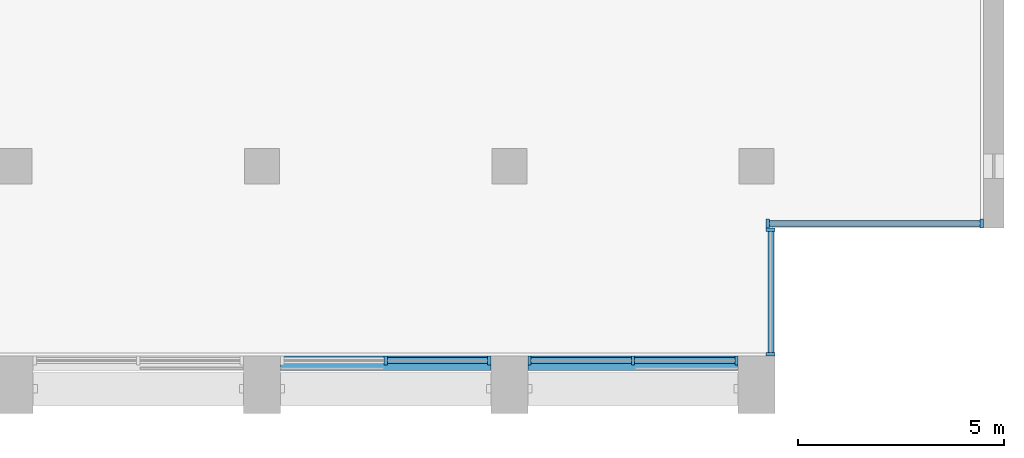
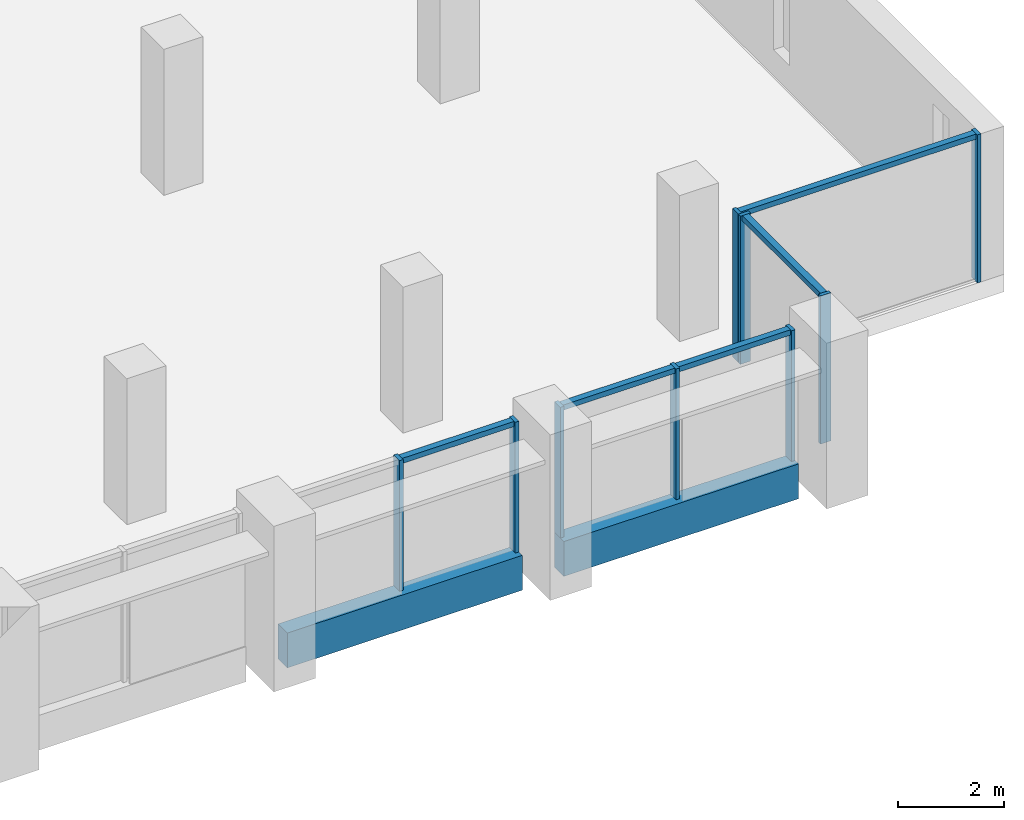
# One storey, part 3 of 14: 14 members, 2 beams, 4 elements without a shape of their own.
"""IFC4 building model written with IfcOpenShell, lengths in metres."""

import ifcopenshell
import ifcopenshell.guid

model = None  # the IFC model being written
_history = None  # IfcOwnerHistory: only IFC2X3 demands one
_inside = {}  # id of a spatial element -> (the spatial element, [elements in it])
_under = {}  # id of a project, library or spatial element -> (it, [spatial elements below it])
_declared = {}  # id of a project -> (the project, [libraries it declares])
_typed = {}  # id of a type object -> (the type object, [elements of that type])
_made_of = {}  # id of a material, layer set ... -> (it, [elements and type objects made of it])


def new_model(schema):
    """Start an empty IFC model of exactly this schema.

    Asked for "IFC4X3", IfcOpenShell would pick the latest addendum, in which some entities
    have other attributes; the version numbers below select the first issue.
    IFC2X3 requires an IfcOwnerHistory on every rooted entity: one is made here for all.
    """
    global model, _history
    if schema == "IFC4X3":
        model = ifcopenshell.file(schema_version=(4, 3, 0, 0))
    else:
        model = ifcopenshell.file(schema=schema)
    _inside.clear()
    _under.clear()
    _declared.clear()
    _typed.clear()
    _made_of.clear()
    _history = None
    if model.schema == "IFC2X3":
        org = make("IfcOrganization", Name="unknown")
        user = make(
            "IfcPersonAndOrganization",
            ThePerson=make("IfcPerson", FamilyName="unknown"),
            TheOrganization=org,
        )
        app = make(
            "IfcApplication",
            ApplicationDeveloper=org,
            Version="unknown",
            ApplicationFullName="unknown",
            ApplicationIdentifier="unknown",
        )
        _history = make(
            "IfcOwnerHistory",
            OwningUser=user,
            OwningApplication=app,
            ChangeAction="ADDED",
            CreationDate=0,
        )
    return model


def make(cls, **values):
    """One entity of the class cls with the attributes given. An attribute that is None is left unset."""
    return model.create_entity(
        cls, **{name: value for name, value in values.items() if value is not None}
    )


def rooted(cls, **values):
    """An entity with a GlobalId (a new one), such as an element, a storey or a relation."""
    return make(cls, GlobalId=ifcopenshell.guid.new(), OwnerHistory=_history, **values)


def si_unit(unit_type, name, prefix=None):
    """IfcSIUnit, for example si_unit("LENGTHUNIT", "METRE", prefix="MILLI")."""
    return make("IfcSIUnit", UnitType=unit_type, Prefix=prefix, Name=name)


def assignment(units):
    """IfcUnitAssignment: the units of a project."""
    return None if units is None else make("IfcUnitAssignment", Units=units)


def point(xyz):
    """IfcCartesianPoint."""
    return None if xyz is None else make("IfcCartesianPoint", Coordinates=xyz)


def direction(xyz):
    """IfcDirection."""
    return None if xyz is None else make("IfcDirection", DirectionRatios=xyz)


def frame(location, z_axis=None, x_axis=None):
    """IfcAxis2Placement3D, a coordinate frame: its origin and axes. An axis left out is left unset."""
    return make(
        "IfcAxis2Placement3D",
        Location=point(location),
        Axis=direction(z_axis),
        RefDirection=direction(x_axis),
    )


def frame_2d(location, x_axis=None):
    """IfcAxis2Placement2D, a coordinate frame in the plane: its origin and x axis."""
    return make(
        "IfcAxis2Placement2D", Location=point(location), RefDirection=direction(x_axis)
    )


def origin():
    """The frame at (0, 0, 0) with its axes left unset."""
    return frame((0.0, 0.0, 0.0))


def origin_2d():
    """The frame at (0, 0) in the plane with its x axis left unset."""
    return frame_2d((0.0, 0.0))


def place(relative_to, where):
    """IfcLocalPlacement: puts the frame where relative to a parent placement (None: the world)."""
    return make(
        "IfcLocalPlacement", PlacementRelTo=relative_to, RelativePlacement=where
    )


def context(
    kind, dimensions, precision=None, world=None, true_north=None, identifier=None
):
    """IfcGeometricRepresentationContext, for example the 3D "Model" context."""
    return make(
        "IfcGeometricRepresentationContext",
        ContextIdentifier=identifier,
        ContextType=kind,
        CoordinateSpaceDimension=dimensions,
        Precision=precision,
        WorldCoordinateSystem=world,
        TrueNorth=true_north,
    )


def subcontext(parent, identifier, kind, view, scale=None):
    """IfcGeometricRepresentationSubContext, for example "Body" below "Model"."""
    return make(
        "IfcGeometricRepresentationSubContext",
        ContextIdentifier=identifier,
        ContextType=kind,
        ParentContext=parent,
        TargetScale=scale,
        TargetView=view,
    )


def project(units=None, contexts=None):
    """IfcProject with its units and contexts."""
    return rooted(
        "IfcProject",
        Name="project",
        RepresentationContexts=contexts,
        UnitsInContext=assignment(units),
    )


def spatial(cls, under=None, at=None, **own):
    """A site, building, storey or space (cls), placed at a placement, below another one or the project."""
    s = rooted(cls, ObjectPlacement=at, **own)
    if under is not None:
        _under.setdefault(under.id(), (under, []))[1].append(s)
    return s


def profile(cls, at=None, kind="AREA", **sizes):
    """A parametric profile (cls). Its sizes go by their IFC names, for example OverallWidth=200.0."""
    return make(cls, ProfileType=kind, Position=at, **sizes)


def rectangle(**sizes):
    """IfcRectangleProfileDef."""
    return profile("IfcRectangleProfileDef", **sizes)


def extrude(swept, where, along, depth):
    """IfcExtrudedAreaSolid: the profile swept, set in the frame where, extruded along a direction by depth."""
    return make(
        "IfcExtrudedAreaSolid",
        SweptArea=swept,
        Position=where,
        ExtrudedDirection=direction(along),
        Depth=depth,
    )


def shape(context_of_items, identifier, shape_type, items):
    """IfcShapeRepresentation: the items that make up one representation, for example the "Body"."""
    return make(
        "IfcShapeRepresentation",
        ContextOfItems=context_of_items,
        RepresentationIdentifier=identifier,
        RepresentationType=shape_type,
        Items=items,
    )


def material(Name=None, Category=None):
    """IfcMaterial."""
    return make("IfcMaterial", Name=Name, Category=Category)


def material_profile(
    of_material, cross_section, Name=None, Category=None, Priority=None
):
    """IfcMaterialProfile: a cross section and its material."""
    return make(
        "IfcMaterialProfile",
        Name=Name,
        Material=of_material,
        Profile=cross_section,
        Priority=Priority,
        Category=Category,
    )


def profile_set(profiles, Name=None, composite=None):
    """IfcMaterialProfileSet."""
    return make(
        "IfcMaterialProfileSet",
        Name=Name,
        MaterialProfiles=profiles,
        CompositeProfile=composite,
    )


def made_of(thing, what):
    """Note that an element or type object is made of a material, layer set ...; save() writes the relation."""
    if what is not None:
        _made_of.setdefault(what.id(), (what, []))[1].append(thing)
    return thing


def type_object(cls, material=None, **own):
    """A type object (cls), such as IfcWallType, which elements share."""
    return made_of(rooted(cls, **own), material)


def element(
    cls,
    number,
    at=None,
    inside=None,
    cuts=None,
    type_object=None,
    material=None,
    context=None,
    identifier="Body",
    shape_type=None,
    held_by="IfcProductDefinitionShape",
    body=None,
    shapes=None,
    **own,
):
    """One element of the class cls, such as IfcWall. Its Tag is "e" and its number.

    at: its placement. inside: the storey or other place that contains it. cuts: it is an
    opening in that element (IfcRelVoidsElement). A single representation is given by context,
    identifier, shape_type and body (its items); several are given by shapes. held_by: the class
    of the entity that holds the representations. save() writes the other relations.
    """
    e = rooted(cls, Tag="e%d" % number, ObjectPlacement=at, **own)
    if body is not None:
        shapes = [shape(context, identifier, shape_type, body)]
    if shapes is not None:
        e.Representation = make(held_by, Representations=shapes)
    if inside is not None:
        _inside.setdefault(inside.id(), (inside, []))[1].append(e)
    if cuts is not None:
        rooted(
            "IfcRelVoidsElement", RelatingBuildingElement=cuts, RelatedOpeningElement=e
        )
    if type_object is not None:
        _typed.setdefault(type_object.id(), (type_object, []))[1].append(e)
    return made_of(e, material)


def aggregate(whole, parts):
    """IfcRelAggregates: a whole, such as a stair, and the parts it consists of."""
    return rooted("IfcRelAggregates", RelatingObject=whole, RelatedObjects=parts)


def save(model, path):
    """Write the relations noted so far, then the file.

    IfcRelAggregates (storeys below a building ...), IfcRelContainedInSpatialStructure (elements
    in a storey), IfcRelDefinesByType, IfcRelAssociatesMaterial and IfcRelDeclares: one each for
    every whole, place, type object, material and project.
    """
    for whole, parts in _under.values():
        aggregate(whole, parts)
    for where, things in _inside.values():
        rooted(
            "IfcRelContainedInSpatialStructure",
            RelatedElements=things,
            RelatingStructure=where,
        )
    for kind, things in _typed.values():
        rooted("IfcRelDefinesByType", RelatedObjects=things, RelatingType=kind)
    for what, things in _made_of.values():
        rooted("IfcRelAssociatesMaterial", RelatedObjects=things, RelatingMaterial=what)
    for by, libraries in _declared.values():
        rooted("IfcRelDeclares", RelatingContext=by, RelatedDefinitions=libraries)
    model.write(path)


model = new_model("IFC4")

# Units and contexts
model_context = context("Model", 3, precision=1e-05, world=origin(), true_north=direction((0.0, 1.0)))
body_context = subcontext(model_context, "Body", "Model", "MODEL_VIEW")
ifc_project = project(units=[si_unit("LENGTHUNIT", "METRE"), si_unit("AREAUNIT", "SQUARE_METRE"), si_unit("VOLUMEUNIT", "CUBIC_METRE"), si_unit("PLANEANGLEUNIT", "RADIAN"), si_unit("MASSUNIT", "GRAM", prefix="KILO")], contexts=[model_context])

# Site, building, storey
site_placement = place(None, origin())
site = spatial("IfcSite", under=ifc_project, at=site_placement, CompositionType="ELEMENT")
building_placement = place(site_placement, origin())
building = spatial("IfcBuilding", under=site, at=building_placement, Name="Calvaro Tower", CompositionType="ELEMENT")
storey_placement = place(building_placement, frame((0.0, 0.0, 250.75)))
storey = spatial("IfcBuildingStorey", under=building, at=storey_placement, Name="L63", CompositionType="ELEMENT", Elevation=250.75)

# Curtain wall, members
ifc_material_1 = material(Name="Anodised aluminium", Category="aluminium")
curtain_wall_type = type_object("IfcCurtainWallType", Name="Executive curtain wall", PredefinedType="NOTDEFINED", material=ifc_material_1)
curtain_wall_1_placement = place(storey_placement, origin())
curtain_wall_1 = element("IfcCurtainWall", 1, at=curtain_wall_1_placement, inside=storey, type_object=curtain_wall_type, Name="CW4 south curtain wall", PredefinedType="NOTDEFINED")
ifc_material_2 = material(Name="Anodised aluminium", Category="aluminium")
ifc_material_profile_1 = material_profile(ifc_material_2, rectangle(XDim=0.219970703125, YDim=0.080078125, at=origin_2d()), Name="Mullion S4 80 x 220")
ifc_profile_set_1 = profile_set([ifc_material_profile_1], Name="Anodised aluminium")
member_type_1 = type_object("IfcMemberType", Name="Mullion S4 80 x 220", PredefinedType="MULLION", material=ifc_profile_set_1)
member_1_placement = place(storey_placement, frame((51.0, 5.2900390625, 0.0), z_axis=(0.0, 0.0, 1.0), x_axis=(0.0, 1.0, 0.0)))
member_1 = element("IfcMember", 2, at=member_1_placement, type_object=member_type_1, Name="CW4 mullion 2", PredefinedType="MULLION", context=body_context, shape_type="SweptSolid", body=[
    extrude(rectangle(XDim=0.219970703125, YDim=0.080078125, at=origin_2d()), origin(), (0.0, 0.0, 1.0), 3.0),
])
member_2_placement = place(storey_placement, frame((53.510009765625, 5.2900390625, 0.0), z_axis=(0.0, 0.0, 1.0), x_axis=(0.0, 1.0, 0.0)))
member_2 = element("IfcMember", 3, at=member_2_placement, type_object=member_type_1, Name="CW4 mullion 3", PredefinedType="MULLION", context=body_context, shape_type="SweptSolid", body=[
    extrude(rectangle(XDim=0.219970703125, YDim=0.080078125, at=origin_2d()), origin(), (0.0, 0.0, 1.0), 3.0),
])

curtain_wall_2_placement = place(storey_placement, origin())
curtain_wall_2 = element("IfcCurtainWall", 4, at=curtain_wall_2_placement, inside=storey, type_object=curtain_wall_type, Name="CW4 south curtain wall", PredefinedType="NOTDEFINED")
member_3_placement = place(storey_placement, frame((54.489990234375, 5.2900390625, 0.0), z_axis=(0.0, 0.0, 1.0), x_axis=(0.0, 1.0, 0.0)))
member_3 = element("IfcMember", 5, at=member_3_placement, type_object=member_type_1, Name="CW4 mullion 1", PredefinedType="MULLION", context=body_context, shape_type="SweptSolid", body=[
    extrude(rectangle(XDim=0.219970703125, YDim=0.080078125, at=origin_2d()), origin(), (0.0, 0.0, 1.0), 3.0),
])
member_4_placement = place(storey_placement, frame((57.0, 5.2900390625, 0.0), z_axis=(0.0, 0.0, 1.0), x_axis=(0.0, 1.0, 0.0)))
member_4 = element("IfcMember", 6, at=member_4_placement, type_object=member_type_1, Name="CW4 mullion 2", PredefinedType="MULLION", context=body_context, shape_type="SweptSolid", body=[
    extrude(rectangle(XDim=0.219970703125, YDim=0.080078125, at=origin_2d()), origin(), (0.0, 0.0, 1.0), 3.0),
])
member_5_placement = place(storey_placement, frame((59.510009765625, 5.2900390625, 0.0), z_axis=(0.0, 0.0, 1.0), x_axis=(0.0, 1.0, 0.0)))
member_5 = element("IfcMember", 7, at=member_5_placement, type_object=member_type_1, Name="CW4 mullion 3", PredefinedType="MULLION", context=body_context, shape_type="SweptSolid", body=[
    extrude(rectangle(XDim=0.219970703125, YDim=0.080078125, at=origin_2d()), origin(), (0.0, 0.0, 1.0), 3.0),
])

curtain_wall_3_placement = place(storey_placement, origin())
curtain_wall_3 = element("IfcCurtainWall", 8, at=curtain_wall_3_placement, inside=storey, type_object=curtain_wall_type, Name="CW4 corner curtain wall", PredefinedType="NOTDEFINED")
member_6_placement = place(storey_placement, frame((60.340087890625, 5.43994140625, 0.0), z_axis=(0.0, 0.0, 1.0), x_axis=(-1.0, 0.0, 0.0)))
member_6 = element("IfcMember", 9, at=member_6_placement, type_object=member_type_1, Name="CW4 mullion 1", PredefinedType="MULLION", context=body_context, shape_type="SweptSolid", body=[
    extrude(rectangle(XDim=0.219970703125, YDim=0.080078125, at=origin_2d()), origin(), (0.0, 0.0, 1.0), 3.39990234375),
])
member_7_placement = place(storey_placement, frame((60.340087890625, 8.4599609375, 0.0), z_axis=(0.0, 0.0, 1.0), x_axis=(-1.0, 0.0, 0.0)))
member_7 = element("IfcMember", 10, at=member_7_placement, type_object=member_type_1, Name="CW4 mullion 2", PredefinedType="MULLION", context=body_context, shape_type="SweptSolid", body=[
    extrude(rectangle(XDim=0.219970703125, YDim=0.080078125, at=origin_2d()), origin(), (0.0, 0.0, 1.0), 3.39990234375),
])

curtain_wall_4_placement = place(storey_placement, origin())
curtain_wall_4 = element("IfcCurtainWall", 11, at=curtain_wall_4_placement, inside=storey, type_object=curtain_wall_type, Name="CW4 corner curtain wall", PredefinedType="NOTDEFINED")
member_8_placement = place(storey_placement, frame((60.27001953125, 8.610107421875, 0.0), z_axis=(0.0, 0.0, 1.0), x_axis=(0.0, 1.0, 0.0)))
member_8 = element("IfcMember", 12, at=member_8_placement, type_object=member_type_1, Name="CW4 mullion 1", PredefinedType="MULLION", context=body_context, shape_type="SweptSolid", body=[
    extrude(rectangle(XDim=0.219970703125, YDim=0.080078125, at=origin_2d()), origin(), (0.0, 0.0, 1.0), 3.39990234375),
])
member_9_placement = place(storey_placement, frame((65.4599609375, 8.610107421875, 0.0), z_axis=(0.0, 0.0, 1.0), x_axis=(0.0, 1.0, 0.0)))
member_9 = element("IfcMember", 13, at=member_9_placement, type_object=member_type_1, Name="CW4 mullion 2", PredefinedType="MULLION", context=body_context, shape_type="SweptSolid", body=[
    extrude(rectangle(XDim=0.219970703125, YDim=0.080078125, at=origin_2d()), origin(), (0.0, 0.0, 1.0), 3.39990234375),
])

# Beams
ifc_material_3 = material(Name="Concrete C50/60 precast", Category="concrete")
ifc_material_profile_2 = material_profile(ifc_material_3, rectangle(XDim=0.35009765625, YDim=0.800048828125, at=origin_2d()), Name="RC 350x800")
ifc_profile_set_2 = profile_set([ifc_material_profile_2], Name="Concrete C50/60 precast")
beam_type = type_object("IfcBeamType", Name="Spandrel beam 350x800 C50/60", PredefinedType="SPANDREL", material=ifc_profile_set_2)
for number, where, z_axis, x_axis, name in (
    (14, (48.449951171875, 5.22509765625, -0.39990234375), (1.0, 0.0, 0.0), (0.0, 1.0, 0.0), "Spandrel beam"),
    (15, (54.449951171875, 5.22509765625, -0.39990234375), (1.0, 0.0, 0.0), (0.0, 1.0, 0.0), "Spandrel beam"),
):
    element("IfcBeam", number, at=place(storey_placement, frame(where, z_axis=z_axis, x_axis=x_axis)), inside=storey, type_object=beam_type, Name=name, PredefinedType="SPANDREL", context=body_context, shape_type="SweptSolid", body=[
        extrude(rectangle(XDim=0.35009765625, YDim=0.800048828125, at=origin_2d()), origin(), (0.0, 0.0, 1.0), 5.10009765625),
    ])

# Member
ifc_material_4 = material(Name="Anodised aluminium", Category="aluminium")
ifc_material_profile_3 = material_profile(ifc_material_4, rectangle(XDim=0.139892578125, YDim=0.1201171875, at=origin_2d()), Name="Transom S4 120 x 140")
ifc_profile_set_3 = profile_set([ifc_material_profile_3], Name="Anodised aluminium")
member_type_2 = type_object("IfcMemberType", Name="Transom S4 120 x 140", PredefinedType="USERDEFINED", material=ifc_profile_set_3)
member_10_placement = place(storey_placement, frame((51.0400390625, 5.2900390625, 2.93994140625), z_axis=(1.0, 0.0, 0.0), x_axis=(0.0, 1.0, 0.0)))
member_10 = element("IfcMember", 16, at=member_10_placement, type_object=member_type_2, Name="CW4 transom 2.1", ObjectType="TRANSOM", PredefinedType="USERDEFINED", context=body_context, shape_type="SweptSolid", body=[
    extrude(rectangle(XDim=0.139892578125, YDim=0.1201171875, at=origin_2d()), origin(), (0.0, 0.0, 1.0), 2.429931640625),
])

aggregate(curtain_wall_1, [member_1, member_2, member_10])

member_11_placement = place(storey_placement, frame((54.530029296875, 5.2900390625, 2.93994140625), z_axis=(1.0, 0.0, 0.0), x_axis=(0.0, 1.0, 0.0)))
member_11 = element("IfcMember", 17, at=member_11_placement, type_object=member_type_2, Name="CW4 transom 1.1", ObjectType="TRANSOM", PredefinedType="USERDEFINED", context=body_context, shape_type="SweptSolid", body=[
    extrude(rectangle(XDim=0.139892578125, YDim=0.1201171875, at=origin_2d()), origin(), (0.0, 0.0, 1.0), 2.429931640625),
])

member_12_placement = place(storey_placement, frame((57.0400390625, 5.2900390625, 2.93994140625), z_axis=(1.0, 0.0, 0.0), x_axis=(0.0, 1.0, 0.0)))
member_12 = element("IfcMember", 18, at=member_12_placement, type_object=member_type_2, Name="CW4 transom 2.1", ObjectType="TRANSOM", PredefinedType="USERDEFINED", context=body_context, shape_type="SweptSolid", body=[
    extrude(rectangle(XDim=0.139892578125, YDim=0.1201171875, at=origin_2d()), origin(), (0.0, 0.0, 1.0), 2.429931640625),
])

aggregate(curtain_wall_2, [member_3, member_4, member_5, member_11, member_12])

member_13_placement = place(storey_placement, frame((60.340087890625, 5.47998046875, 3.340087890625), z_axis=(0.0, 1.0, 0.0), x_axis=(-1.0, 0.0, 0.0)))
member_13 = element("IfcMember", 19, at=member_13_placement, type_object=member_type_2, Name="CW4 transom 1.1", ObjectType="TRANSOM", PredefinedType="USERDEFINED", context=body_context, shape_type="SweptSolid", body=[
    extrude(rectangle(XDim=0.139892578125, YDim=0.1201171875, at=origin_2d()), origin(), (0.0, 0.0, 1.0), 2.93994140625),
])

aggregate(curtain_wall_3, [member_6, member_7, member_13])

member_14_placement = place(storey_placement, frame((60.31005859375, 8.610107421875, 3.340087890625), z_axis=(1.0, 0.0, 0.0), x_axis=(0.0, 1.0, 0.0)))
member_14 = element("IfcMember", 20, at=member_14_placement, type_object=member_type_2, Name="CW4 transom 1.1", ObjectType="TRANSOM", PredefinedType="USERDEFINED", context=body_context, shape_type="SweptSolid", body=[
    extrude(rectangle(XDim=0.139892578125, YDim=0.1201171875, at=origin_2d()), origin(), (0.0, 0.0, 1.0), 5.10986328125),
])

aggregate(curtain_wall_4, [member_8, member_9, member_14])

save(model, "model.ifc")
